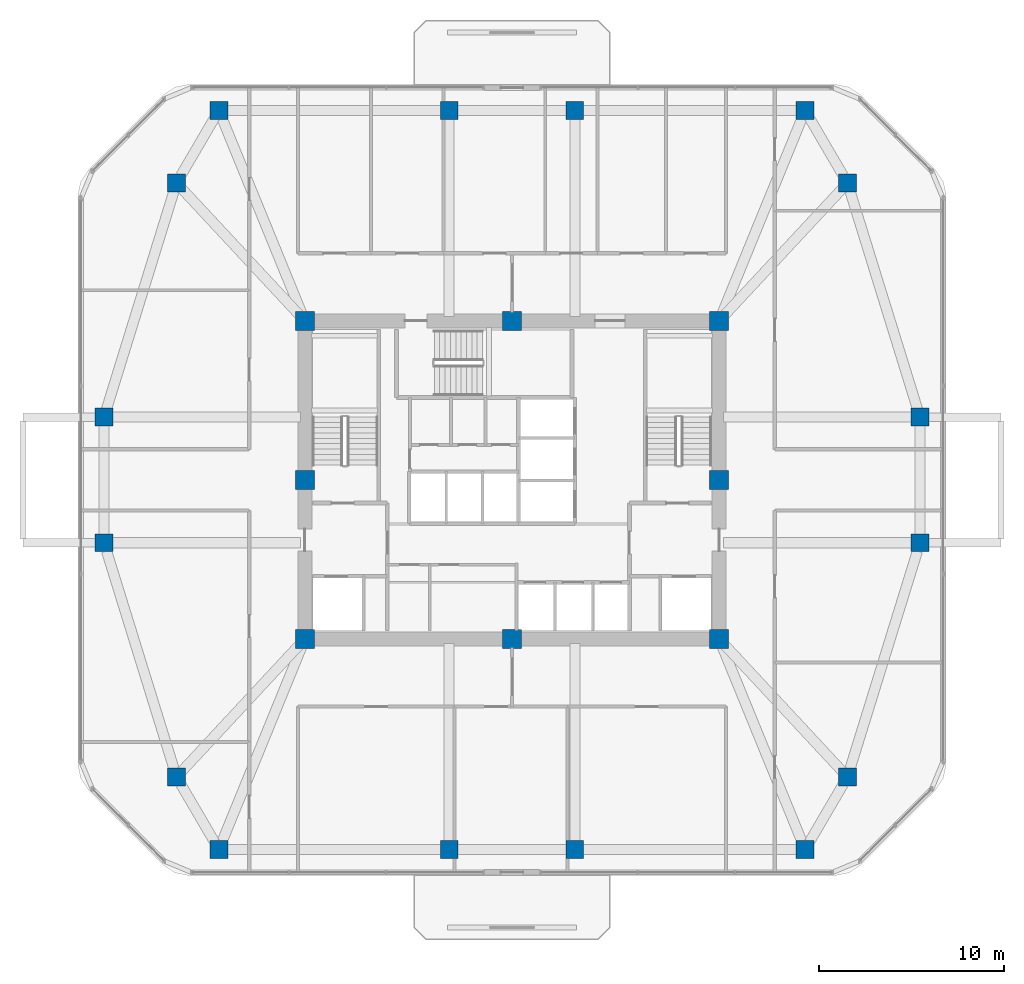
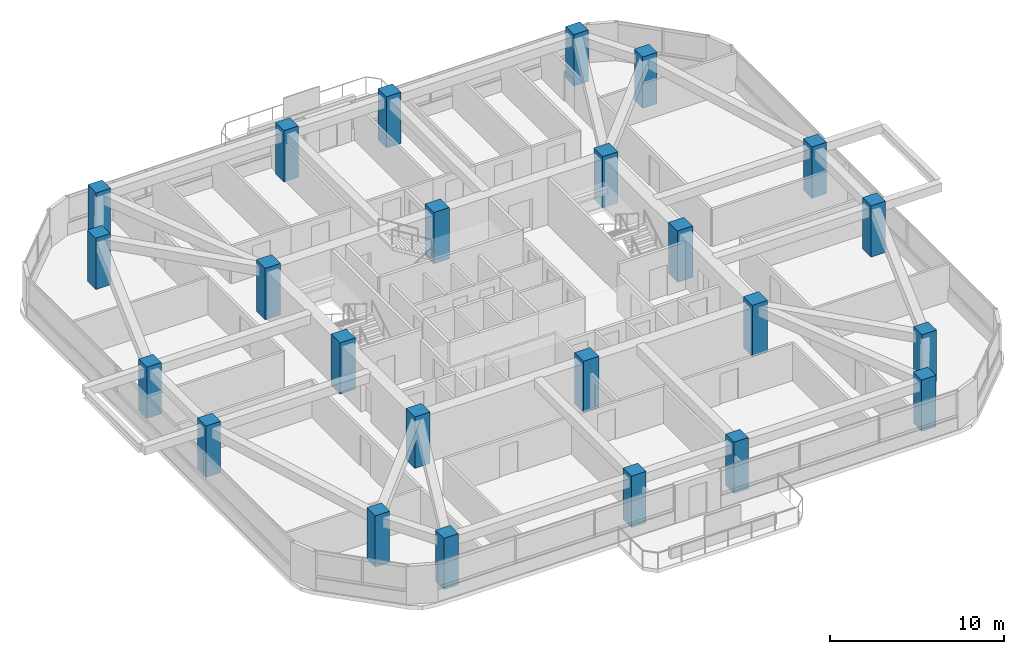
# One storey, part 1 of 12: 24 columns.
"""IFC4 building model written with IfcOpenShell, lengths in metres."""

from ifc_helpers import new_model, si_unit, derived_unit, direction, frame, origin, origin_2d, place, context, subcontext, project, spatial, rectangle, extrude, material, material_profile, profile_set, type_object, element, save


model = new_model("IFC4")

# Units and contexts
model_context = context("Model", 3, precision=1e-05, world=origin(), true_north=direction((0.0, 1.0)))
body_context = subcontext(model_context, "Body", "Model", "MODEL_VIEW")
ifc_project = project(units=[si_unit("LENGTHUNIT", "METRE"), si_unit("AREAUNIT", "SQUARE_METRE"), si_unit("VOLUMEUNIT", "CUBIC_METRE"), si_unit("PLANEANGLEUNIT", "RADIAN"), si_unit("MASSUNIT", "GRAM", prefix="KILO"), derived_unit("THERMALTRANSMITTANCEUNIT", [(si_unit("POWERUNIT", "WATT"), 1), (si_unit("LENGTHUNIT", "METRE"), -2), (si_unit("THERMODYNAMICTEMPERATUREUNIT", "KELVIN"), -1)])], contexts=[model_context])

# Site, building, storey
site_placement = place(None, origin())
site = spatial("IfcSite", under=ifc_project, at=site_placement, CompositionType="ELEMENT")
building_placement = place(site_placement, origin())
building = spatial("IfcBuilding", under=site, at=building_placement, Name="Koralith Skygarden Medical Center", CompositionType="ELEMENT")
storey_placement = place(building_placement, frame((0.0, 0.0, 152.820068359375)))
storey = spatial("IfcBuildingStorey", under=building, at=storey_placement, Name="L39", CompositionType="ELEMENT", Elevation=152.820068359375)

# Columns
ifc_material_1 = material(Name="Concrete C70/85", Category="concrete")
ifc_material_profile_1 = material_profile(ifc_material_1, rectangle(XDim=1.02001953125, YDim=1.02001953125, at=origin_2d()), Name="RC1020X1020")
ifc_profile_set_1 = profile_set([ifc_material_profile_1], Name="Concrete C70/85")
column_type_1 = type_object("IfcColumnType", Name="Core Mega-Column C70 RC1020", PredefinedType="COLUMN", material=ifc_profile_set_1)
for number, where, z_axis, x_axis, name in (
    (1, (25.800048828125, 17.300048828125, 0.0), (0.0, 0.0, 1.0), (1.0, 0.0, 0.0), "L39 Core Column CC-01"),
    (2, (37.0, 17.300048828125, 0.0), (0.0, 0.0, 1.0), (1.0, 0.0, 0.0), "L39 Core Column CC-02"),
    (3, (48.199951171875, 17.300048828125, 0.0), (0.0, 0.0, 1.0), (1.0, 0.0, 0.0), "L39 Core Column CC-03"),
    (4, (48.199951171875, 25.89990234375, 0.0), (0.0, 0.0, 1.0), (1.0, 0.0, 0.0), "L39 Core Column CC-04"),
    (5, (48.199951171875, 34.5, 0.0), (0.0, 0.0, 1.0), (1.0, 0.0, 0.0), "L39 Core Column CC-05"),
    (6, (37.0, 34.5, 0.0), (0.0, 0.0, 1.0), (1.0, 0.0, 0.0), "L39 Core Column CC-06"),
    (7, (25.800048828125, 34.5, 0.0), (0.0, 0.0, 1.0), (1.0, 0.0, 0.0), "L39 Core Column CC-07"),
    (8, (25.800048828125, 25.89990234375, 0.0), (0.0, 0.0, 1.0), (1.0, 0.0, 0.0), "L39 Core Column CC-08"),
):
    element("IfcColumn", number, at=place(storey_placement, frame(where, z_axis=z_axis, x_axis=x_axis)), inside=storey, type_object=column_type_1, Name=name, PredefinedType="COLUMN", context=body_context, shape_type="SweptSolid", body=[
        extrude(rectangle(XDim=1.02001953125, YDim=1.02001953125, at=origin_2d()), origin(), (0.0, 0.0, 1.0), 3.599853515625),
    ])
ifc_material_2 = material(Name="Concrete C55/67", Category="concrete")
ifc_material_profile_2 = material_profile(ifc_material_2, rectangle(XDim=0.9599609375, YDim=0.9599609375, at=origin_2d()), Name="RC960X960")
ifc_profile_set_2 = profile_set([ifc_material_profile_2], Name="Concrete C55/67")
column_type_2 = type_object("IfcColumnType", Name="Zone 3 Waist Mega-Column C55 RC960", PredefinedType="COLUMN", material=ifc_profile_set_2)
for number, where, z_axis, x_axis, name in (
    (9, (14.93603515625, 22.5, 0.0), (0.0, 0.0, 1.0), (1.0, 0.0, 0.0), "L39 Perimeter Mega-Column MC-01"),
    (10, (18.85595703125, 9.840087890625, 0.0), (0.0, 0.0, 1.0), (1.0, 0.0, 0.0), "L39 Perimeter Mega-Column MC-02"),
    (11, (21.14794921875, 5.919921875, 0.0), (0.0, 0.0, 1.0), (1.0, 0.0, 0.0), "L39 Perimeter Mega-Column MC-03"),
    (12, (33.60009765625, 5.919921875, 0.0), (0.0, 0.0, 1.0), (1.0, 0.0, 0.0), "L39 Perimeter Mega-Column MC-04"),
    (13, (40.39990234375, 5.919921875, 0.0), (0.0, 0.0, 1.0), (1.0, 0.0, 0.0), "L39 Perimeter Mega-Column MC-05"),
    (14, (52.85205078125, 5.919921875, 0.0), (0.0, 0.0, 1.0), (1.0, 0.0, 0.0), "L39 Perimeter Mega-Column MC-06"),
    (15, (55.14404296875, 9.840087890625, 0.0), (0.0, 0.0, 1.0), (1.0, 0.0, 0.0), "L39 Perimeter Mega-Column MC-07"),
    (16, (59.06396484375, 22.5, 0.0), (0.0, 0.0, 1.0), (1.0, 0.0, 0.0), "L39 Perimeter Mega-Column MC-08"),
    (17, (59.06396484375, 29.300048828125, 0.0), (0.0, 0.0, 1.0), (1.0, 0.0, 0.0), "L39 Perimeter Mega-Column MC-09"),
    (18, (55.14404296875, 41.9599609375, 0.0), (0.0, 0.0, 1.0), (1.0, 0.0, 0.0), "L39 Perimeter Mega-Column MC-10"),
    (19, (52.85205078125, 45.8798828125, 0.0), (0.0, 0.0, 1.0), (1.0, 0.0, 0.0), "L39 Perimeter Mega-Column MC-11"),
    (20, (40.39990234375, 45.8798828125, 0.0), (0.0, 0.0, 1.0), (1.0, 0.0, 0.0), "L39 Perimeter Mega-Column MC-12"),
    (21, (33.60009765625, 45.8798828125, 0.0), (0.0, 0.0, 1.0), (1.0, 0.0, 0.0), "L39 Perimeter Mega-Column MC-13"),
    (22, (21.14794921875, 45.8798828125, 0.0), (0.0, 0.0, 1.0), (1.0, 0.0, 0.0), "L39 Perimeter Mega-Column MC-14"),
    (23, (18.85595703125, 41.9599609375, 0.0), (0.0, 0.0, 1.0), (1.0, 0.0, 0.0), "L39 Perimeter Mega-Column MC-15"),
    (24, (14.93603515625, 29.300048828125, 0.0), (0.0, 0.0, 1.0), (1.0, 0.0, 0.0), "L39 Perimeter Mega-Column MC-16"),
):
    element("IfcColumn", number, at=place(storey_placement, frame(where, z_axis=z_axis, x_axis=x_axis)), inside=storey, type_object=column_type_2, Name=name, PredefinedType="COLUMN", context=body_context, shape_type="SweptSolid", body=[
        extrude(rectangle(XDim=0.9599609375, YDim=0.9599609375, at=origin_2d()), origin(), (0.0, 0.0, 1.0), 3.599853515625),
    ])

save(model, "model.ifc")
